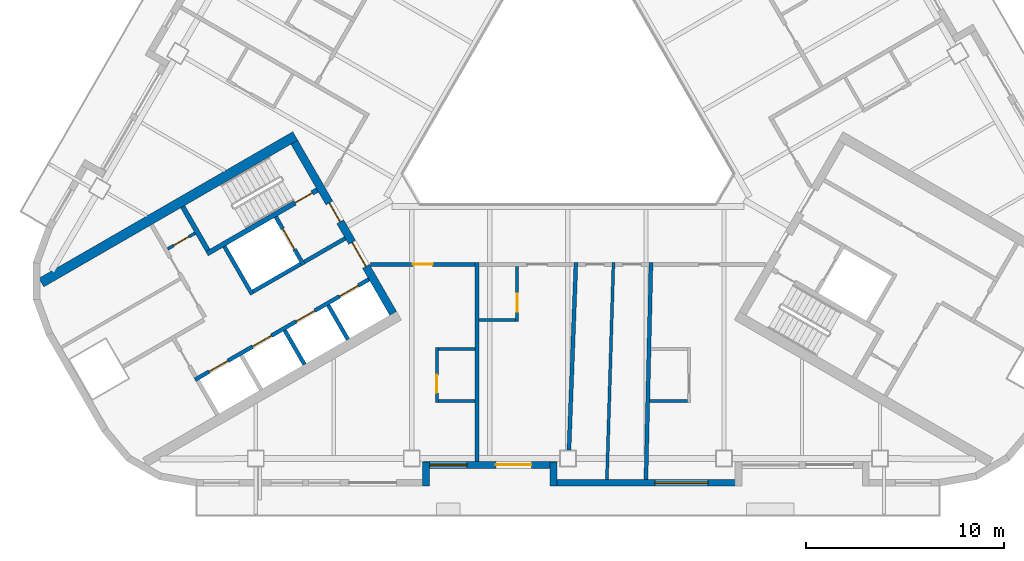
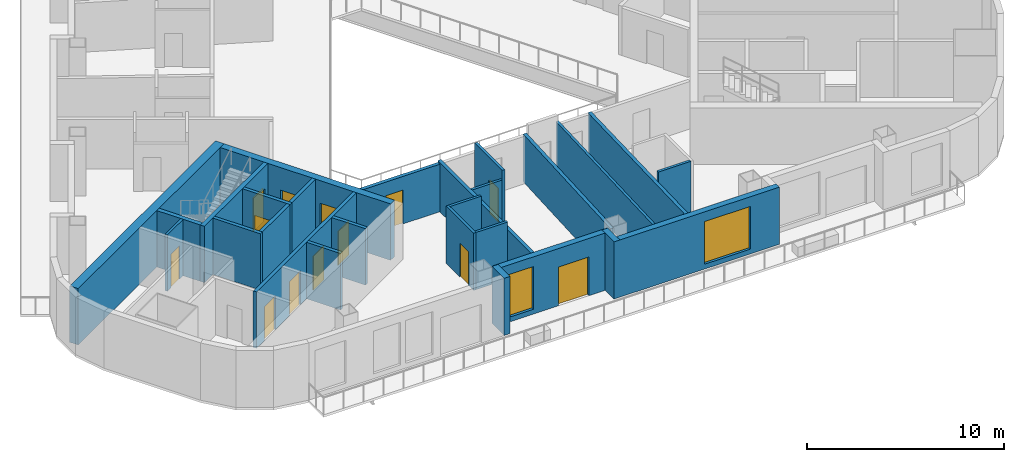
# One storey, part 3 of 14: 27 walls, 13 doors, 2 windows, 15 openings.
"""IFC4 building model written with IfcOpenShell, lengths in metres."""

from ifc_helpers import new_model, si_unit, direction, frame, frame_2d, origin, place, context, subcontext, project, spatial, rectangle, extrude, material, layer, layer_set, type_object, element, fill, save


model = new_model("IFC4")

# Units and contexts
model_context = context("Model", 3, precision=1e-05, world=origin(), true_north=direction((0.0, 1.0)))
body_context = subcontext(model_context, "Body", "Model", "MODEL_VIEW")
ifc_project = project(units=[si_unit("LENGTHUNIT", "METRE"), si_unit("AREAUNIT", "SQUARE_METRE"), si_unit("VOLUMEUNIT", "CUBIC_METRE"), si_unit("PLANEANGLEUNIT", "RADIAN"), si_unit("MASSUNIT", "GRAM", prefix="KILO")], contexts=[model_context])

# Site, building, storey
site_placement = place(None, origin())
site = spatial("IfcSite", under=ifc_project, at=site_placement, CompositionType="ELEMENT")
building_placement = place(site_placement, origin())
building = spatial("IfcBuilding", under=site, at=building_placement, Name="Apuvela Tower Hotel", CompositionType="ELEMENT")
storey_placement = place(building_placement, frame((0.0, 0.0, 157.699951171875)))
storey = spatial("IfcBuildingStorey", under=building, at=storey_placement, Name="L37", CompositionType="ELEMENT", Elevation=157.699951171875)

# Wall, openings, doors
ifc_material_1 = material(Name="Concrete C50/60", Category="concrete")
ifc_layer_1 = layer(ifc_material_1, 0.39990234375)
ifc_layer_set_1 = layer_set([ifc_layer_1], Name="COR-WALL-CORE-400")
wall_type_1 = type_object("IfcWallType", Name="COR-WALL-CORE-400", PredefinedType="SHEAR", material=ifc_layer_set_1)
wall_1_placement = place(storey_placement, frame((-13.844970703125, -2.219970703125, 0.0), z_axis=(0.0, 0.0, 1.0), x_axis=(0.500004234368, -0.866022959057, 0.0)))
wall_1 = element("IfcWall", 1, at=wall_1_placement, inside=storey, type_object=wall_type_1, Name="Core wall SW", PredefinedType="SHEAR", context=body_context, shape_type="SweptSolid", body=[
    extrude(rectangle(XDim=10.0, YDim=0.39990234375, at=frame_2d((5.0, 0.0))), origin(), (0.0, 0.0, 1.0), 3.5),
])
opening_1_placement = place(wall_1_placement, frame((3.550048828125, 0.0, 0.0)))
opening_1 = element("IfcOpeningElement", 2, at=opening_1_placement, cuts=wall_1, Name="Opening W-FD", PredefinedType="OPENING", context=body_context, shape_type="SweptSolid", body=[
    extrude(rectangle(XDim=1.10009765625, YDim=2.10009765625, at=frame_2d((0.550048828125, 1.050048828125))), frame((0.0, 0.2099609375, 0.0), z_axis=(0.0, -1.0, 0.0), x_axis=(1.0, 0.0, 0.0)), (0.0, 0.0, 1.0), 0.419921875),
])
opening_2_placement = place(wall_1_placement, frame((5.85009765625, 0.0, 0.0)))
opening_2 = element("IfcOpeningElement", 3, at=opening_2_placement, cuts=wall_1, Name="Opening W-GD", PredefinedType="OPENING", context=body_context, shape_type="SweptSolid", body=[
    extrude(rectangle(XDim=1.39990234375, YDim=2.10009765625, at=frame_2d((0.699951171875, 1.050048828125))), frame((0.0, 0.2099609375, 0.0), z_axis=(0.0, -1.0, 0.0), x_axis=(1.0, 0.0, 0.0)), (0.0, 0.0, 1.0), 0.419921875),
])
ifc_material_2 = material(Name="Steel fire door, powder coated", Category="steel")
door_type_1 = type_object("IfcDoorType", Name="COR-FD-1100", OperationType="NOTDEFINED", PredefinedType="DOOR", material=ifc_material_2)
door_1_placement = place(opening_1_placement, frame((1.10009765625, 0.0, 0.0), z_axis=(0.0, 0.0, 1.0), x_axis=(-1.0, 0.0, 0.0)))
door_1 = element("IfcDoor", 4, at=door_1_placement, inside=storey, type_object=door_type_1, Name="Firefighting lobby door W-FD", OperationType="SINGLE_SWING_LEFT", OverallHeight=2.10009765625, OverallWidth=1.10009765625, PredefinedType="DOOR", context=body_context, shape_type="SweptSolid", body=[
    extrude(rectangle(XDim=1.10009765625, YDim=2.10009765625, at=frame_2d((0.550048828125, 1.050048828125))), frame((0.0, 0.02490234375, 0.0), z_axis=(0.0, -1.0, 0.0), x_axis=(1.0, 0.0, 0.0)), (0.0, 0.0, 1.0), 0.050048828125),
])
fill(opening_1, door_1)
ifc_material_3 = material(Name="Glazed steel fire door", Category="steel")
door_type_2 = type_object("IfcDoorType", Name="COR-GD-1400", OperationType="DOUBLE_DOOR_SINGLE_SWING", PredefinedType="DOOR", material=ifc_material_3)
door_2_placement = place(opening_2_placement, frame((1.39990234375, 0.0, 0.0), z_axis=(0.0, 0.0, 1.0), x_axis=(-1.0, 0.0, 0.0)))
door_2 = element("IfcDoor", 5, at=door_2_placement, inside=storey, type_object=door_type_2, Name="Lift lobby door W-GD", OperationType="DOUBLE_DOOR_SINGLE_SWING", OverallHeight=2.10009765625, OverallWidth=1.39990234375, PredefinedType="DOOR", context=body_context, shape_type="SweptSolid", body=[
    extrude(rectangle(XDim=1.39990234375, YDim=2.10009765625, at=frame_2d((0.699951171875, 1.050048828125))), frame((0.0, 0.02490234375, 0.0), z_axis=(0.0, -1.0, 0.0), x_axis=(1.0, 0.0, 0.0)), (0.0, 0.0, 1.0), 0.050048828125),
])
fill(opening_2, door_2)

# Wall
ifc_layer_2 = layer(ifc_material_1, 0.5)
ifc_layer_set_2 = layer_set([ifc_layer_2], Name="COR-WALL-CORE-500")
wall_type_2 = type_object("IfcWallType", Name="COR-WALL-CORE-500", PredefinedType="SHEAR", material=ifc_layer_set_2)
wall_2_placement = place(storey_placement, frame((-13.796630859375, -1.9033203125, 0.0), z_axis=(0.0, 0.0, 1.0), x_axis=(-0.866025009528, -0.500000682871, 0.0)))
element("IfcWall", 6, at=wall_2_placement, inside=storey, type_object=wall_type_2, Name="Core wall SW", PredefinedType="SHEAR", context=body_context, shape_type="SweptSolid", body=[
    extrude(rectangle(XDim=14.8369140625, YDim=0.5, at=frame_2d((7.41845703125, 0.0))), origin(), (0.0, 0.0, 1.0), 3.5),
])

# Wall, opening, door
ifc_material_4 = material(Name="Blockwork 150 mm plastered", Category="masonry")
ifc_layer_3 = layer(ifc_material_4, 0.14990234375)
ifc_layer_set_3 = layer_set([ifc_layer_3], Name="COR-WALL-PART-150")
wall_type_3 = type_object("IfcWallType", Name="COR-WALL-PART-150", PredefinedType="PARTITIONING", material=ifc_layer_set_3)
wall_3_placement = place(storey_placement, frame((-18.866455078125, -6.822265625, 0.0), z_axis=(0.0, 0.0, 1.0), x_axis=(-0.866028054938, -0.499995408039, 0.0)))
wall_3 = element("IfcWall", 7, at=wall_3_placement, inside=storey, type_object=wall_type_3, Name="Partition SW", PredefinedType="PARTITIONING", context=body_context, shape_type="SweptSolid", body=[
    extrude(rectangle(XDim=1.60009765625, YDim=0.14990234375, at=frame_2d((0.800048828125, 0.0))), origin(), (0.0, 0.0, 1.0), 3.5),
])
opening_3_placement = place(wall_3_placement, frame((0.35009765625, 0.0, 0.0)))
opening_3 = element("IfcOpeningElement", 8, at=opening_3_placement, cuts=wall_3, Name="Opening W-RD", PredefinedType="OPENING", context=body_context, shape_type="SweptSolid", body=[
    extrude(rectangle(XDim=0.89990234375, YDim=2.10009765625, at=frame_2d((0.449951171875, 1.050048828125))), frame((0.0, 0.0849609375, 0.0), z_axis=(0.0, -1.0, 0.0), x_axis=(1.0, 0.0, 0.0)), (0.0, 0.0, 1.0), 0.169921875),
])
ifc_material_5 = material(Name="Steel access door, powder coated", Category="steel")
door_type_3 = type_object("IfcDoorType", Name="COR-RD-900", OperationType="NOTDEFINED", PredefinedType="DOOR", material=ifc_material_5)
door_3_placement = place(opening_3_placement, frame((0.89990234375, 0.0, 0.0), z_axis=(0.0, 0.0, 1.0), x_axis=(-1.0, 0.0, 0.0)))
door_3 = element("IfcDoor", 9, at=door_3_placement, inside=storey, type_object=door_type_3, Name="Riser door W-RD", OperationType="SINGLE_SWING_RIGHT", OverallHeight=2.10009765625, OverallWidth=0.89990234375, PredefinedType="DOOR", context=body_context, shape_type="SweptSolid", body=[
    extrude(rectangle(XDim=0.89990234375, YDim=2.10009765625, at=frame_2d((0.449951171875, 1.050048828125))), frame((0.0, 0.02490234375, 0.0), z_axis=(0.0, -1.0, 0.0), x_axis=(1.0, 0.0, 0.0)), (0.0, 0.0, 1.0), 0.050048828125),
])
fill(opening_3, door_3)

# Wall
ifc_layer_4 = layer(ifc_material_1, 0.199951171875)
ifc_layer_set_4 = layer_set([ifc_layer_4], Name="COR-WALL-SHAFT-200")
wall_type_4 = type_object("IfcWallType", Name="COR-WALL-SHAFT-200", PredefinedType="SHEAR", material=ifc_layer_set_4)
wall_4_placement = place(storey_placement, frame((-17.38134765625, -7.49462890625, 0.0), z_axis=(0.0, 0.0, 1.0), x_axis=(0.500011755427, -0.866018616679, 0.0)))
element("IfcWall", 10, at=wall_4_placement, inside=storey, type_object=wall_type_4, Name="Shaft wall SW", PredefinedType="SHEAR", context=body_context, shape_type="SweptSolid", body=[
    extrude(rectangle(XDim=2.80029296875, YDim=0.199951171875, at=frame_2d((1.400146484375, 0.0))), origin(), (0.0, 0.0, 1.0), 3.5),
])

# Wall, opening, door
wall_5_placement = place(storey_placement, frame((-14.783203125, -5.99462890625, 0.0), z_axis=(0.0, 0.0, 1.0), x_axis=(0.49994636267, -0.866056369097, 0.0)))
wall_5 = element("IfcWall", 11, at=wall_5_placement, inside=storey, type_object=wall_type_4, Name="Shaft wall SW", PredefinedType="SHEAR", context=body_context, shape_type="SweptSolid", body=[
    extrude(rectangle(XDim=2.800048828125, YDim=0.199951171875, at=frame_2d((1.39990234375, 0.0))), origin(), (0.0, 0.0, 1.0), 3.5),
])
opening_4_placement = place(wall_5_placement, frame((0.699951171875, 0.0, 0.0)))
opening_4 = element("IfcOpeningElement", 12, at=opening_4_placement, cuts=wall_5, Name="Opening W-LD-FS2", PredefinedType="OPENING", context=body_context, shape_type="SweptSolid", body=[
    extrude(rectangle(XDim=1.199951171875, YDim=2.10009765625, at=frame_2d((0.60009765625, 1.050048828125))), frame((0.0, 0.10986328125, 0.0), z_axis=(0.0, -1.0, 0.0), x_axis=(1.0, 0.0, 0.0)), (0.0, 0.0, 1.0), 0.219970703125),
])
ifc_material_6 = material(Name="Stainless steel lift landing door", Category="steel")
door_type_4 = type_object("IfcDoorType", Name="COR-LD-1200", OperationType="DOUBLE_DOOR_SLIDING", PredefinedType="DOOR", material=ifc_material_6)
door_4_placement = place(opening_4_placement, origin())
door_4 = element("IfcDoor", 13, at=door_4_placement, inside=storey, type_object=door_type_4, Name="Lift landing door W-LD-FS2", OperationType="DOUBLE_DOOR_SLIDING", OverallHeight=2.10009765625, OverallWidth=1.199951171875, PredefinedType="DOOR", context=body_context, shape_type="SweptSolid", body=[
    extrude(rectangle(XDim=1.199951171875, YDim=2.10009765625, at=frame_2d((0.60009765625, 1.050048828125))), frame((0.0, 0.02490234375, 0.0), z_axis=(0.0, -1.0, 0.0), x_axis=(1.0, 0.0, 0.0)), (0.0, 0.0, 1.0), 0.050048828125),
])
fill(opening_4, door_4)

# Walls
wall_6_placement = place(storey_placement, frame((-13.519775390625, -8.383056640625, 0.0), z_axis=(0.0, 0.0, 1.0), x_axis=(-0.866034573852, -0.49998411664, 0.0)))
element("IfcWall", 14, at=wall_6_placement, inside=storey, type_object=wall_type_4, Name="Shaft wall SW", PredefinedType="SHEAR", context=body_context, shape_type="SweptSolid", body=[
    extrude(rectangle(XDim=2.7998046875, YDim=0.199951171875, at=frame_2d((1.39990234375, 0.0))), origin(), (0.0, 0.0, 1.0), 3.5),
])
wall_7_placement = place(storey_placement, frame((-11.26806640625, -7.0830078125, 0.0), z_axis=(0.0, 0.0, 1.0), x_axis=(-0.866050077142, -0.499957262057, 0.0)))
element("IfcWall", 15, at=wall_7_placement, inside=storey, type_object=wall_type_4, Name="Shaft wall SW", PredefinedType="SHEAR", context=body_context, shape_type="SweptSolid", body=[
    extrude(rectangle(XDim=2.400146484375, YDim=0.199951171875, at=frame_2d((1.2001953125, 0.0))), origin(), (0.0, 0.0, 1.0), 3.5),
])

# Wall, openings, doors
wall_8_placement = place(storey_placement, frame((-10.068115234375, -9.16162109375, 0.0), z_axis=(0.0, 0.0, 1.0), x_axis=(-0.866032725843, -0.499987317609, 0.0)))
wall_8 = element("IfcWall", 16, at=wall_8_placement, inside=storey, type_object=wall_type_4, Name="Shaft wall SW", PredefinedType="SHEAR", context=body_context, shape_type="SweptSolid", body=[
    extrude(rectangle(XDim=10.159912109375, YDim=0.199951171875, at=frame_2d((5.080078125, 0.0))), origin(), (0.0, 0.0, 1.0), 3.5),
])
opening_5_placement = place(wall_8_placement, frame((0.6201171875, 0.0, 0.0)))
opening_5 = element("IfcOpeningElement", 17, at=opening_5_placement, cuts=wall_8, Name="Opening W-LD-MR1", PredefinedType="OPENING", context=body_context, shape_type="SweptSolid", body=[
    extrude(rectangle(XDim=1.10009765625, YDim=2.10009765625, at=frame_2d((0.550048828125, 1.050048828125))), frame((0.0, 0.10986328125, 0.0), z_axis=(0.0, -1.0, 0.0), x_axis=(1.0, 0.0, 0.0)), (0.0, 0.0, 1.0), 0.219970703125),
])
opening_6_placement = place(wall_8_placement, frame((3.159912109375, 0.0, 0.0)))
opening_6 = element("IfcOpeningElement", 18, at=opening_6_placement, cuts=wall_8, Name="Opening W-LD-MR2", PredefinedType="OPENING", context=body_context, shape_type="SweptSolid", body=[
    extrude(rectangle(XDim=1.10009765625, YDim=2.10009765625, at=frame_2d((0.550048828125, 1.050048828125))), frame((0.0, 0.10986328125, 0.0), z_axis=(0.0, -1.0, 0.0), x_axis=(1.0, 0.0, 0.0)), (0.0, 0.0, 1.0), 0.219970703125),
])
opening_7_placement = place(wall_8_placement, frame((5.699951171875, 0.0, 0.0)))
opening_7 = element("IfcOpeningElement", 19, at=opening_7_placement, cuts=wall_8, Name="Opening W-LD-MR3", PredefinedType="OPENING", context=body_context, shape_type="SweptSolid", body=[
    extrude(rectangle(XDim=1.10009765625, YDim=2.10009765625, at=frame_2d((0.550048828125, 1.050048828125))), frame((0.0, 0.10986328125, 0.0), z_axis=(0.0, -1.0, 0.0), x_axis=(1.0, 0.0, 0.0)), (0.0, 0.0, 1.0), 0.219970703125),
])
opening_8_placement = place(wall_8_placement, frame((8.239990234375, 0.0, 0.0)))
opening_8 = element("IfcOpeningElement", 20, at=opening_8_placement, cuts=wall_8, Name="Opening W-LD-MR4", PredefinedType="OPENING", context=body_context, shape_type="SweptSolid", body=[
    extrude(rectangle(XDim=1.10009765625, YDim=2.10009765625, at=frame_2d((0.550048828125, 1.050048828125))), frame((0.0, 0.10986328125, 0.0), z_axis=(0.0, -1.0, 0.0), x_axis=(1.0, 0.0, 0.0)), (0.0, 0.0, 1.0), 0.219970703125),
])
door_type_5 = type_object("IfcDoorType", Name="COR-LD-1100", OperationType="DOUBLE_DOOR_SLIDING", PredefinedType="DOOR", material=ifc_material_6)
door_5_placement = place(opening_5_placement, origin())
door_5 = element("IfcDoor", 21, at=door_5_placement, inside=storey, type_object=door_type_5, Name="Lift landing door W-LD-MR1", OperationType="DOUBLE_DOOR_SLIDING", OverallHeight=2.10009765625, OverallWidth=1.10009765625, PredefinedType="DOOR", context=body_context, shape_type="SweptSolid", body=[
    extrude(rectangle(XDim=1.10009765625, YDim=2.10009765625, at=frame_2d((0.550048828125, 1.050048828125))), frame((0.0, 0.02490234375, 0.0), z_axis=(0.0, -1.0, 0.0), x_axis=(1.0, 0.0, 0.0)), (0.0, 0.0, 1.0), 0.050048828125),
])
fill(opening_5, door_5)
door_6_placement = place(opening_6_placement, origin())
door_6 = element("IfcDoor", 22, at=door_6_placement, inside=storey, type_object=door_type_5, Name="Lift landing door W-LD-MR2", OperationType="DOUBLE_DOOR_SLIDING", OverallHeight=2.10009765625, OverallWidth=1.10009765625, PredefinedType="DOOR", context=body_context, shape_type="SweptSolid", body=[
    extrude(rectangle(XDim=1.10009765625, YDim=2.10009765625, at=frame_2d((0.550048828125, 1.050048828125))), frame((0.0, 0.02490234375, 0.0), z_axis=(0.0, -1.0, 0.0), x_axis=(1.0, 0.0, 0.0)), (0.0, 0.0, 1.0), 0.050048828125),
])
fill(opening_6, door_6)
door_7_placement = place(opening_7_placement, origin())
door_7 = element("IfcDoor", 23, at=door_7_placement, inside=storey, type_object=door_type_5, Name="Lift landing door W-LD-MR3", OperationType="DOUBLE_DOOR_SLIDING", OverallHeight=2.10009765625, OverallWidth=1.10009765625, PredefinedType="DOOR", context=body_context, shape_type="SweptSolid", body=[
    extrude(rectangle(XDim=1.10009765625, YDim=2.10009765625, at=frame_2d((0.550048828125, 1.050048828125))), frame((0.0, 0.02490234375, 0.0), z_axis=(0.0, -1.0, 0.0), x_axis=(1.0, 0.0, 0.0)), (0.0, 0.0, 1.0), 0.050048828125),
])
fill(opening_7, door_7)
door_8_placement = place(opening_8_placement, origin())
door_8 = element("IfcDoor", 24, at=door_8_placement, inside=storey, type_object=door_type_5, Name="Lift landing door W-LD-MR4", OperationType="DOUBLE_DOOR_SLIDING", OverallHeight=2.10009765625, OverallWidth=1.10009765625, PredefinedType="DOOR", context=body_context, shape_type="SweptSolid", body=[
    extrude(rectangle(XDim=1.10009765625, YDim=2.10009765625, at=frame_2d((0.550048828125, 1.050048828125))), frame((0.0, 0.02490234375, 0.0), z_axis=(0.0, -1.0, 0.0), x_axis=(1.0, 0.0, 0.0)), (0.0, 0.0, 1.0), 0.050048828125),
])
fill(opening_8, door_8)

# Walls
for number, where, z_axis, x_axis, name in (
    (25, (-12.131103515625, -10.468017578125, 0.0), (0.0, 0.0, 1.0), (0.499972520799, -0.866041268327, 0.0), "Shaft wall SW"),
    (26, (-14.330810546875, -11.738037109375, 0.0), (0.0, 0.0, 1.0), (0.499972520799, -0.866041268327, 0.0), "Shaft wall SW"),
):
    element("IfcWall", number, at=place(storey_placement, frame(where, z_axis=z_axis, x_axis=x_axis)), inside=storey, type_object=wall_type_4, Name=name, PredefinedType="SHEAR", context=body_context, shape_type="SweptSolid", body=[
        extrude(rectangle(XDim=2.0, YDim=0.199951171875, at=frame_2d((1.0, 0.0))), origin(), (0.0, 0.0, 1.0), 3.5),
    ])

# Wall, opening, door
ifc_layer_5 = layer(ifc_material_1, 0.25)
ifc_layer_set_5 = layer_set([ifc_layer_5], Name="COR-WALL-STAIR-250")
wall_type_5 = type_object("IfcWallType", Name="COR-WALL-STAIR-250", PredefinedType="SHEAR", material=ifc_layer_set_5)
wall_9_placement = place(storey_placement, frame((-12.6806640625, -4.636474609375, 0.0), z_axis=(0.0, 0.0, 1.0), x_axis=(-0.866021702275, -0.500006411147, 0.0)))
wall_9 = element("IfcWall", 27, at=wall_9_placement, inside=storey, type_object=wall_type_5, Name="Stair wall SW", PredefinedType="SHEAR", context=body_context, shape_type="SweptSolid", body=[
    extrude(rectangle(XDim=6.4501953125, YDim=0.25, at=frame_2d((3.22509765625, 0.0))), origin(), (0.0, 0.0, 1.0), 3.5),
])
opening_9_placement = place(wall_9_placement, frame((0.300048828125, 0.0, 0.0)))
opening_9 = element("IfcOpeningElement", 28, at=opening_9_placement, cuts=wall_9, Name="Opening W-SD", PredefinedType="OPENING", context=body_context, shape_type="SweptSolid", body=[
    extrude(rectangle(XDim=1.0, YDim=2.10009765625, at=frame_2d((0.5, 1.050048828125))), frame((0.0, 0.135009765625, 0.0), z_axis=(0.0, -1.0, 0.0), x_axis=(1.0, 0.0, 0.0)), (0.0, 0.0, 1.0), 0.27001953125),
])
door_type_6 = type_object("IfcDoorType", Name="COR-SD-1000", OperationType="NOTDEFINED", PredefinedType="DOOR", material=ifc_material_2)
door_9_placement = place(opening_9_placement, frame((1.0, 0.0, 0.0), z_axis=(0.0, 0.0, 1.0), x_axis=(-1.0, 0.0, 0.0)))
door_9 = element("IfcDoor", 29, at=door_9_placement, inside=storey, type_object=door_type_6, Name="Stair door W-SD", OperationType="SINGLE_SWING_LEFT", OverallHeight=2.10009765625, OverallWidth=1.0, PredefinedType="DOOR", context=body_context, shape_type="SweptSolid", body=[
    extrude(rectangle(XDim=1.0, YDim=2.10009765625, at=frame_2d((0.5, 1.050048828125))), frame((0.0, 0.02490234375, 0.0), z_axis=(0.0, -1.0, 0.0), x_axis=(1.0, 0.0, 0.0)), (0.0, 0.0, 1.0), 0.050048828125),
])
fill(opening_9, door_9)

# Walls
wall_10_placement = place(storey_placement, frame((-19.49560546875, -5.482421875, 0.0), z_axis=(0.0, 0.0, 1.0), x_axis=(0.499990435942, -0.866030925526, 0.0)))
element("IfcWall", 30, at=wall_10_placement, inside=storey, type_object=wall_type_5, Name="Stair wall SW", PredefinedType="SHEAR", context=body_context, shape_type="SweptSolid", body=[
    extrude(rectangle(XDim=2.5498046875, YDim=0.25, at=frame_2d((1.27490234375, 0.0))), origin(), (0.0, 0.0, 1.0), 3.5),
])
ifc_material_7 = material(Name="Concrete C40/50, dark pigmented precast panel", Category="concrete")
ifc_layer_6 = layer(ifc_material_7, 0.35009765625)
ifc_layer_set_6 = layer_set([ifc_layer_6], Name="ENV-WALL-350")
wall_type_6 = type_object("IfcWallType", Name="ENV-WALL-350", PredefinedType="SOLIDWALL", material=ifc_layer_set_6)
wall_11_placement = place(storey_placement, frame((-7.175048828125, -19.6298828125, 0.0), z_axis=(0.0, 0.0, 1.0), x_axis=(0.0, 1.0, 0.0)))
element("IfcWall", 31, at=wall_11_placement, inside=storey, type_object=wall_type_6, Name="External wall L37-18", PredefinedType="SOLIDWALL", context=body_context, shape_type="SweptSolid", body=[
    extrude(rectangle(XDim=1.219970703125, YDim=0.35009765625, at=frame_2d((0.60986328125, 0.0))), origin(), (0.0, 0.0, 1.0), 3.550048828125),
])

# Wall, openings, door, window
wall_12_placement = place(storey_placement, frame((-7.320068359375, -18.554931640625, 0.0), z_axis=(0.0, 0.0, 1.0), x_axis=(1.0, 0.0, 0.0)))
wall_12 = element("IfcWall", 32, at=wall_12_placement, inside=storey, type_object=wall_type_6, Name="External wall L37-19", PredefinedType="SOLIDWALL", context=body_context, shape_type="SweptSolid", body=[
    extrude(rectangle(XDim=6.739990234375, YDim=0.35009765625, at=frame_2d((3.3701171875, 0.0))), origin(), (0.0, 0.0, 1.0), 3.550048828125),
])
opening_10_placement = place(wall_12_placement, frame((0.3203125, 0.0, 0.300048828125)))
opening_10 = element("IfcOpeningElement", 33, at=opening_10_placement, cuts=wall_12, Name="Opening WN19", PredefinedType="OPENING", context=body_context, shape_type="SweptSolid", body=[
    extrude(rectangle(XDim=1.89990234375, YDim=2.64990234375, at=frame_2d((0.949951171875, 1.324951171875))), frame((0.0, 0.18505859375, 0.0), z_axis=(0.0, -1.0, 0.0), x_axis=(1.0, 0.0, 0.0)), (0.0, 0.0, 1.0), 0.3701171875),
])
opening_11_placement = place(wall_12_placement, frame((3.669921875, 0.0, 0.0)))
opening_11 = element("IfcOpeningElement", 34, at=opening_11_placement, cuts=wall_12, Name="Opening BD18", PredefinedType="OPENING", context=body_context, shape_type="SweptSolid", body=[
    extrude(rectangle(XDim=1.800048828125, YDim=2.39990234375, at=frame_2d((0.89990234375, 1.199951171875))), frame((0.0, 0.18505859375, 0.0), z_axis=(0.0, -1.0, 0.0), x_axis=(1.0, 0.0, 0.0)), (0.0, 0.0, 1.0), 0.3701171875),
])
ifc_material_8 = material(Name="Aluminium 6063-T6, dark bronze anodised frame with dark tinted laminated glass", Category="aluminium")
door_type_7 = type_object("IfcDoorType", Name="ENV-DOOR-BALCONY-1800x2400", OperationType="SLIDING_TO_LEFT", PredefinedType="DOOR", material=ifc_material_8)
door_10_placement = place(opening_11_placement, frame((1.800048828125, 0.0, 0.0), z_axis=(0.0, 0.0, 1.0), x_axis=(-1.0, 0.0, 0.0)))
door_10 = element("IfcDoor", 35, at=door_10_placement, inside=storey, type_object=door_type_7, Name="Balcony door BD18", OperationType="SLIDING_TO_LEFT", OverallHeight=2.39990234375, OverallWidth=1.800048828125, PredefinedType="DOOR", context=body_context, shape_type="SweptSolid", body=[
    extrude(rectangle(XDim=1.800048828125, YDim=2.39990234375, at=frame_2d((0.89990234375, 1.199951171875))), frame((0.0, 0.02490234375, 0.0), z_axis=(0.0, -1.0, 0.0), x_axis=(1.0, 0.0, 0.0)), (0.0, 0.0, 1.0), 0.050048828125),
])
fill(opening_11, door_10)
ifc_material_9 = material(Name="Glass, dark tinted laminated insulated glazing unit", Category="glass")
window_type_1 = type_object("IfcWindowType", Name="ENV-WIN-1900x2650", PartitioningType="SINGLE_PANEL", PredefinedType="WINDOW", material=ifc_material_9)
window_1_placement = place(opening_10_placement, origin())
window_1 = element("IfcWindow", 36, at=window_1_placement, inside=storey, type_object=window_type_1, Name="Window WN19", OverallHeight=2.64990234375, OverallWidth=1.89990234375, PartitioningType="SINGLE_PANEL", PredefinedType="WINDOW", context=body_context, shape_type="SweptSolid", body=[
    extrude(rectangle(XDim=1.89990234375, YDim=2.64990234375, at=frame_2d((0.949951171875, 1.324951171875))), frame((0.0, 0.030029296875, 0.0), z_axis=(0.0, -1.0, 0.0), x_axis=(1.0, 0.0, 0.0)), (0.0, 0.0, 1.0), 0.06005859375),
])
fill(opening_10, window_1)

# Wall
wall_13_placement = place(storey_placement, frame((-0.72509765625, -18.409912109375, 0.0), z_axis=(0.0, 0.0, 1.0), x_axis=(0.0, -1.0, 0.0)))
element("IfcWall", 37, at=wall_13_placement, inside=storey, type_object=wall_type_6, Name="External wall L37-20", PredefinedType="SOLIDWALL", context=body_context, shape_type="SweptSolid", body=[
    extrude(rectangle(XDim=1.219970703125, YDim=0.35009765625, at=frame_2d((0.60986328125, 0.0))), origin(), (0.0, 0.0, 1.0), 3.550048828125),
])

# Wall, opening, window
wall_14_placement = place(storey_placement, frame((-0.89990234375, -19.455078125, 0.0), z_axis=(0.0, 0.0, 1.0), x_axis=(1.0, 0.0, 0.0)))
wall_14 = element("IfcWall", 38, at=wall_14_placement, inside=storey, type_object=wall_type_6, Name="External wall L37-21", PredefinedType="SOLIDWALL", context=body_context, shape_type="SweptSolid", body=[
    extrude(rectangle(XDim=9.699951171875, YDim=0.35009765625, at=frame_2d((4.85009765625, 0.0))), origin(), (0.0, 0.0, 1.0), 3.550048828125),
])
opening_12_placement = place(wall_14_placement, frame((5.2998046875, 0.0, 0.300048828125)))
opening_12 = element("IfcOpeningElement", 39, at=opening_12_placement, cuts=wall_14, Name="Opening WN27", PredefinedType="OPENING", context=body_context, shape_type="SweptSolid", body=[
    extrude(rectangle(XDim=2.699951171875, YDim=2.64990234375, at=frame_2d((1.35009765625, 1.324951171875))), frame((0.0, 0.18505859375, 0.0), z_axis=(0.0, -1.0, 0.0), x_axis=(1.0, 0.0, 0.0)), (0.0, 0.0, 1.0), 0.3701171875),
])
window_type_2 = type_object("IfcWindowType", Name="ENV-WIN-2700x2650", PartitioningType="SINGLE_PANEL", PredefinedType="WINDOW", material=ifc_material_9)
window_2_placement = place(opening_12_placement, origin())
window_2 = element("IfcWindow", 40, at=window_2_placement, inside=storey, type_object=window_type_2, Name="Window WN27", OverallHeight=2.64990234375, OverallWidth=2.699951171875, PartitioningType="SINGLE_PANEL", PredefinedType="WINDOW", context=body_context, shape_type="SweptSolid", body=[
    extrude(rectangle(XDim=2.699951171875, YDim=2.64990234375, at=frame_2d((1.35009765625, 1.324951171875))), frame((0.0, 0.030029296875, 0.0), z_axis=(0.0, -1.0, 0.0), x_axis=(1.0, 0.0, 0.0)), (0.0, 0.0, 1.0), 0.06005859375),
])
fill(opening_12, window_2)

# Walls
ifc_material_10 = material(Name="Gypsum board partition on twin steel stud", Category="steel")
ifc_layer_7 = layer(ifc_material_10, 0.199951171875)
ifc_layer_set_7 = layer_set([ifc_layer_7], Name="GST-PW1")
wall_type_7 = type_object("IfcWallType", Name="GST-PW1", PredefinedType="PARTITIONING", material=ifc_layer_set_7)
wall_15_placement = place(storey_placement, frame((-4.60009765625, -18.3798828125, 0.0), z_axis=(0.0, 0.0, 1.0), x_axis=(0.0, 1.0, 0.0)))
element("IfcWall", 41, at=wall_15_placement, inside=storey, type_object=wall_type_7, Name="L37 partition 01", PredefinedType="PARTITIONING", context=body_context, shape_type="SweptSolid", body=[
    extrude(rectangle(XDim=10.079833984375, YDim=0.199951171875, at=frame_2d((5.0400390625, 0.0))), origin(), (0.0, 0.0, 1.0), 3.06005859375),
])
wall_16_placement = place(storey_placement, frame((0.0546875, -17.804931640625, 0.0), z_axis=(0.0, 0.0, 1.0), x_axis=(0.037090458059, 0.999311912228, 0.0)))
element("IfcWall", 42, at=wall_16_placement, inside=storey, type_object=wall_type_7, Name="L37 partition 02", PredefinedType="PARTITIONING", context=body_context, shape_type="SweptSolid", body=[
    extrude(rectangle(XDim=9.511474609375, YDim=0.199951171875, at=frame_2d((4.755859375, 0.0))), origin(), (0.0, 0.0, 1.0), 2.949951171875),
])
wall_17_placement = place(storey_placement, frame((3.949951171875, -19.280029296875, 0.0), z_axis=(0.0, 0.0, 1.0), x_axis=(0.023184943176, 0.999731193076, 0.0)))
element("IfcWall", 43, at=wall_17_placement, inside=storey, type_object=wall_type_7, Name="L37 partition 03", PredefinedType="PARTITIONING", context=body_context, shape_type="SweptSolid", body=[
    extrude(rectangle(XDim=10.98291015625, YDim=0.199951171875, at=frame_2d((5.491455078125, 0.0))), origin(), (0.0, 0.0, 1.0), 2.949951171875),
])

# Wall, opening, door
ifc_material_11 = material(Name="Gypsum board corridor wall on twin steel stud, acoustic", Category="steel")
ifc_layer_8 = layer(ifc_material_11, 0.199951171875)
ifc_layer_set_8 = layer_set([ifc_layer_8], Name="GST-PW2")
wall_type_8 = type_object("IfcWallType", Name="GST-PW2", PredefinedType="PARTITIONING", material=ifc_layer_set_8)
wall_18_placement = place(storey_placement, frame((-4.699951171875, -8.39990234375, 0.0), z_axis=(0.0, 0.0, 1.0), x_axis=(-1.0, 0.0, 0.0)))
wall_18 = element("IfcWall", 44, at=wall_18_placement, inside=storey, type_object=wall_type_8, Name="L37 partition 10", PredefinedType="PARTITIONING", context=body_context, shape_type="SweptSolid", body=[
    extrude(rectangle(XDim=5.288330078125, YDim=0.199951171875, at=frame_2d((2.64404296875, 0.0))), origin(), (0.0, 0.0, 1.0), 2.949951171875),
])
opening_13_placement = place(wall_18_placement, frame((2.14404296875, 0.0, 0.0)))
opening_13 = element("IfcOpeningElement", 45, at=opening_13_placement, cuts=wall_18, Name="Opening GD13-02", PredefinedType="OPENING", context=body_context, shape_type="SweptSolid", body=[
    extrude(rectangle(XDim=1.0, YDim=2.10009765625, at=frame_2d((0.5, 1.050048828125))), frame((0.0, 0.10986328125, 0.0), z_axis=(0.0, -1.0, 0.0), x_axis=(1.0, 0.0, 0.0)), (0.0, 0.0, 1.0), 0.219970703125),
])
ifc_material_12 = material(Name="Timber door leaf in steel frame", Category="steel")
door_type_8 = type_object("IfcDoorType", Name="GST-D1", OperationType="NOTDEFINED", PredefinedType="DOOR", material=ifc_material_12)
door_11_placement = place(opening_13_placement, origin())
door_11 = element("IfcDoor", 46, at=door_11_placement, inside=storey, type_object=door_type_8, Name="Door L37-02", OperationType="SINGLE_SWING_LEFT", OverallHeight=2.10009765625, OverallWidth=1.0, PredefinedType="DOOR", context=body_context, shape_type="SweptSolid", body=[
    extrude(rectangle(XDim=1.0, YDim=2.10009765625, at=frame_2d((0.5, 1.050048828125))), frame((0.0, 0.02490234375, 0.0), z_axis=(0.0, -1.0, 0.0), x_axis=(1.0, 0.0, 0.0)), (0.0, 0.0, 1.0), 0.050048828125),
])
fill(opening_13, door_11)

ifc_material_13 = material(Name="Moisture-resistant gypsum board wet wall on steel stud", Category="steel")
ifc_layer_9 = layer(ifc_material_13, 0.14990234375)
ifc_layer_set_9 = layer_set([ifc_layer_9], Name="GST-PW3")
wall_type_9 = type_object("IfcWallType", Name="GST-PW3", PredefinedType="PARTITIONING", material=ifc_layer_set_9)
wall_19_placement = place(storey_placement, frame((-6.625, -12.60009765625, 0.0), z_axis=(0.0, 0.0, 1.0), x_axis=(0.0, -1.0, 0.0)))
wall_19 = element("IfcWall", 47, at=wall_19_placement, inside=storey, type_object=wall_type_9, Name="L37 partition 11", PredefinedType="PARTITIONING", context=body_context, shape_type="SweptSolid", body=[
    extrude(rectangle(XDim=2.7998046875, YDim=0.14990234375, at=frame_2d((1.39990234375, 0.0))), origin(), (0.0, 0.0, 1.0), 3.550048828125),
])
opening_14_placement = place(wall_19_placement, frame((1.39990234375, 0.0, 0.0)))
opening_14 = element("IfcOpeningElement", 48, at=opening_14_placement, cuts=wall_19, Name="Opening GD13-01", PredefinedType="OPENING", context=body_context, shape_type="SweptSolid", body=[
    extrude(rectangle(XDim=0.89990234375, YDim=2.10009765625, at=frame_2d((0.449951171875, 1.050048828125))), frame((0.0, 0.0849609375, 0.0), z_axis=(0.0, -1.0, 0.0), x_axis=(1.0, 0.0, 0.0)), (0.0, 0.0, 1.0), 0.169921875),
])
door_type_9 = type_object("IfcDoorType", Name="GST-D2", OperationType="NOTDEFINED", PredefinedType="DOOR", material=ifc_material_12)
door_12_placement = place(opening_14_placement, origin())
door_12 = element("IfcDoor", 49, at=door_12_placement, inside=storey, type_object=door_type_9, Name="Door L37-01", OperationType="SINGLE_SWING_RIGHT", OverallHeight=2.10009765625, OverallWidth=0.89990234375, PredefinedType="DOOR", context=body_context, shape_type="SweptSolid", body=[
    extrude(rectangle(XDim=0.89990234375, YDim=2.10009765625, at=frame_2d((0.449951171875, 1.050048828125))), frame((0.0, 0.02490234375, 0.0), z_axis=(0.0, -1.0, 0.0), x_axis=(1.0, 0.0, 0.0)), (0.0, 0.0, 1.0), 0.050048828125),
])
fill(opening_14, door_12)

# Walls
for number, where, z_axis, x_axis, name in (
    (50, (-6.550048828125, -15.324951171875, 0.0), (0.0, 0.0, 1.0), (1.0, 0.0, 0.0), "L37 partition 12"),
    (51, (-6.550048828125, -12.675048828125, 0.0), (0.0, 0.0, 1.0), (1.0, 0.0, 0.0), "L37 partition 13"),
):
    element("IfcWall", number, at=place(storey_placement, frame(where, z_axis=z_axis, x_axis=x_axis)), inside=storey, type_object=wall_type_9, Name=name, PredefinedType="PARTITIONING", context=body_context, shape_type="SweptSolid", body=[
        extrude(rectangle(XDim=1.85009765625, YDim=0.14990234375, at=frame_2d((0.925048828125, 0.0))), origin(), (0.0, 0.0, 1.0), 3.550048828125),
    ])

# Wall, opening, door
wall_20_placement = place(storey_placement, frame((-2.574951171875, -11.300048828125, 0.0), z_axis=(0.0, 0.0, 1.0), x_axis=(0.0, 1.0, 0.0)))
wall_20 = element("IfcWall", 52, at=wall_20_placement, inside=storey, type_object=wall_type_9, Name="L37 partition 15", PredefinedType="PARTITIONING", context=body_context, shape_type="SweptSolid", body=[
    extrude(rectangle(XDim=2.800048828125, YDim=0.14990234375, at=frame_2d((1.39990234375, 0.0))), origin(), (0.0, 0.0, 1.0), 3.550048828125),
])
opening_15_placement = place(wall_20_placement, frame((0.5, 0.0, 0.0)))
opening_15 = element("IfcOpeningElement", 53, at=opening_15_placement, cuts=wall_20, Name="Opening GD13-03", PredefinedType="OPENING", context=body_context, shape_type="SweptSolid", body=[
    extrude(rectangle(XDim=0.89990234375, YDim=2.10009765625, at=frame_2d((0.449951171875, 1.050048828125))), frame((0.0, 0.0849609375, 0.0), z_axis=(0.0, -1.0, 0.0), x_axis=(1.0, 0.0, 0.0)), (0.0, 0.0, 1.0), 0.169921875),
])
door_13_placement = place(opening_15_placement, origin())
door_13 = element("IfcDoor", 54, at=door_13_placement, inside=storey, type_object=door_type_9, Name="Door L37-03", OperationType="SINGLE_SWING_LEFT", OverallHeight=2.10009765625, OverallWidth=0.89990234375, PredefinedType="DOOR", context=body_context, shape_type="SweptSolid", body=[
    extrude(rectangle(XDim=0.89990234375, YDim=2.10009765625, at=frame_2d((0.449951171875, 1.050048828125))), frame((0.0, 0.02490234375, 0.0), z_axis=(0.0, -1.0, 0.0), x_axis=(1.0, 0.0, 0.0)), (0.0, 0.0, 1.0), 0.050048828125),
])
fill(opening_15, door_13)

# Walls
wall_21_placement = place(storey_placement, frame((-4.5, -11.22509765625, 0.0), z_axis=(0.0, 0.0, 1.0), x_axis=(1.0, 0.0, 0.0)))
element("IfcWall", 55, at=wall_21_placement, inside=storey, type_object=wall_type_9, Name="L37 partition 16", PredefinedType="PARTITIONING", context=body_context, shape_type="SweptSolid", body=[
    extrude(rectangle(XDim=1.85009765625, YDim=0.14990234375, at=frame_2d((0.925048828125, 0.0))), origin(), (0.0, 0.0, 1.0), 2.949951171875),
])
wall_22_placement = place(storey_placement, frame((1.97509765625, -19.280029296875, 0.0), z_axis=(0.0, 0.0, 1.0), x_axis=(0.030114853757, 0.999546444935, 0.0)))
element("IfcWall", 56, at=wall_22_placement, inside=storey, type_object=wall_type_9, Name="L37 partition 17", PredefinedType="PARTITIONING", context=body_context, shape_type="SweptSolid", body=[
    extrude(rectangle(XDim=10.98486328125, YDim=0.14990234375, at=frame_2d((5.492431640625, 0.0))), origin(), (0.0, 0.0, 1.0), 3.06005859375),
])
wall_23_placement = place(storey_placement, frame((4.1416015625, -15.324951171875, 0.0), z_axis=(0.0, 0.0, 1.0), x_axis=(1.0, 0.0, 0.0)))
element("IfcWall", 57, at=wall_23_placement, inside=storey, type_object=wall_type_9, Name="L37 partition 22", PredefinedType="PARTITIONING", context=body_context, shape_type="SweptSolid", body=[
    extrude(rectangle(XDim=1.913330078125, YDim=0.14990234375, at=frame_2d((0.95654296875, 0.0))), origin(), (0.0, 0.0, 1.0), 3.550048828125),
])

save(model, "model.ifc")
